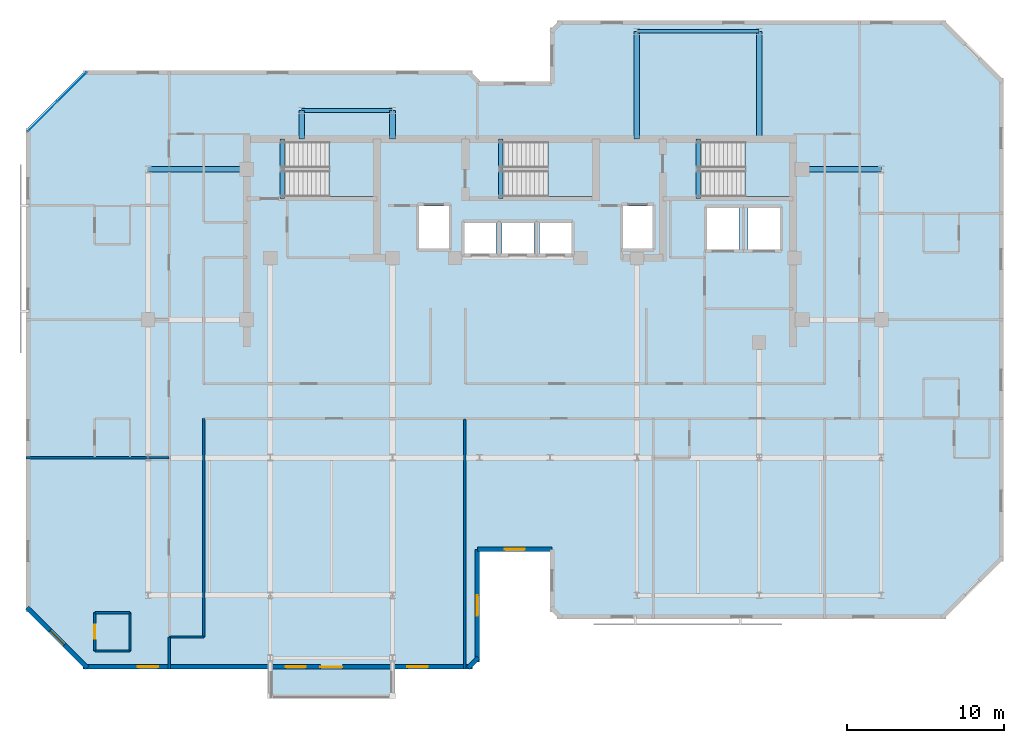
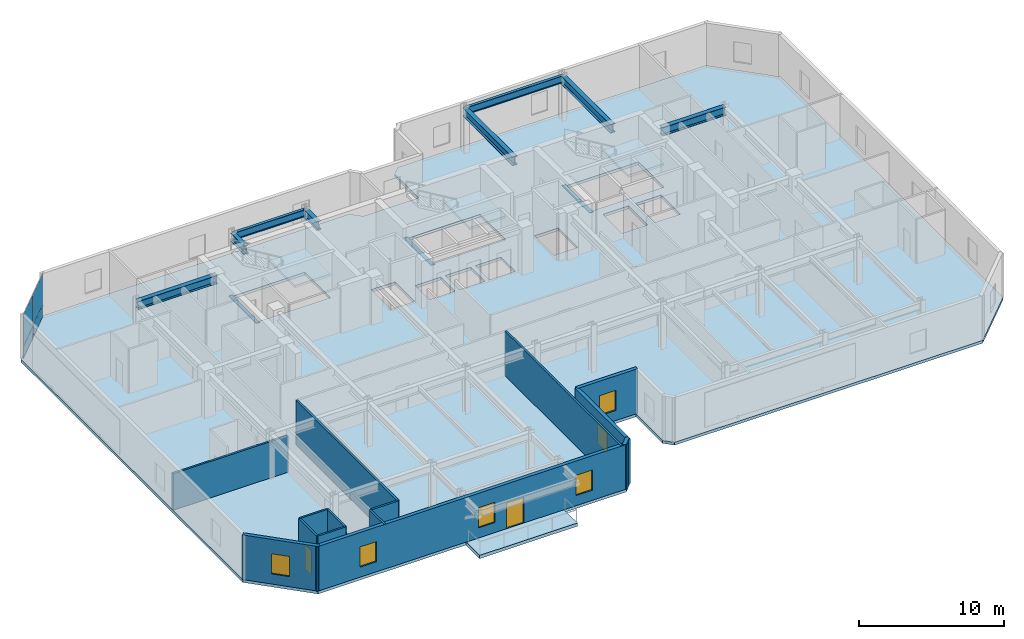
# One storey, part 3 of 10: 14 walls, 11 beams, 6 windows, 5 slabs, 4 plates, 2 doors, 8 openings, 4 elements without a shape of their own.
"""IFC4 building model written with IfcOpenShell, lengths in metres."""

from ifc_helpers import new_model, si_unit, direction, frame, frame_2d, origin, origin_2d, place, context, subcontext, project, spatial, polyline, rectangle, i_section, outline, extrude, material, layer, layer_set, material_profile, profile_set, type_object, element, fill, aggregate, save


model = new_model("IFC4")

# Units and contexts
model_context = context("Model", 3, precision=1e-05, world=origin(), true_north=direction((0.0, 1.0)))
body_context = subcontext(model_context, "Body", "Model", "MODEL_VIEW")
ifc_project = project(units=[si_unit("LENGTHUNIT", "METRE"), si_unit("AREAUNIT", "SQUARE_METRE"), si_unit("VOLUMEUNIT", "CUBIC_METRE"), si_unit("PLANEANGLEUNIT", "RADIAN"), si_unit("MASSUNIT", "GRAM", prefix="KILO")], contexts=[model_context])

# Site, building, storey
site_placement = place(None, origin())
site = spatial("IfcSite", under=ifc_project, at=site_placement, CompositionType="ELEMENT")
building_placement = place(site_placement, origin())
building = spatial("IfcBuilding", under=site, at=building_placement, Name="Kestravale Grand Hotel", CompositionType="ELEMENT")
storey_placement = place(building_placement, frame((0.0, 0.0, 277.39990234375)))
storey = spatial("IfcBuildingStorey", under=building, at=storey_placement, Name="L69", CompositionType="ELEMENT", Elevation=277.39990234375)

# Beams
ifc_material_1 = material(Name="Concrete f'c 45 MPa", Category="concrete")
ifc_material_profile_1 = material_profile(ifc_material_1, rectangle(XDim=0.300048828125, YDim=0.39990234375, at=origin_2d()))
ifc_profile_set_1 = profile_set([ifc_material_profile_1], Name="Concrete f'c 45 MPa")
beam_type_1 = type_object("IfcBeamType", Name="B-FLR-LNT400", PredefinedType="LINTEL", material=ifc_profile_set_1)
for number, where, z_axis, x_axis, name in (
    (1, (24.159912109375, 36.52001953125, -0.199951171875), (0.0, 1.0, 0.0), (-1.0, 0.0, 0.0), "L69 ST1 flight bottom header beam"),
    (2, (38.110107421875, 36.52001953125, -0.199951171875), (0.0, 1.0, 0.0), (-1.0, 0.0, 0.0), "L69 ST2 flight bottom header beam"),
    (3, (50.7099609375, 36.52001953125, -0.199951171875), (0.0, 1.0, 0.0), (-1.0, 0.0, 0.0), "L69 ST3 flight bottom header beam"),
):
    element("IfcBeam", number, at=place(storey_placement, frame(where, z_axis=z_axis, x_axis=x_axis)), inside=storey, type_object=beam_type_1, Name=name, PredefinedType="LINTEL", context=body_context, shape_type="SweptSolid", body=[
        extrude(rectangle(XDim=0.300048828125, YDim=0.39990234375, at=origin_2d()), origin(), (0.0, 0.0, 1.0), 3.800048828125),
    ])
ifc_material_2 = material(Name="Steel ASTM A992 Grade 50", Category="steel")
ifc_material_profile_2 = material_profile(ifc_material_2, i_section(OverallWidth=0.22900390625, OverallDepth=0.612060546875, WebThickness=0.011962890625, FlangeThickness=0.01953125, FilletRadius=0.019287109375, at=origin_2d()))
ifc_profile_set_2 = profile_set([ifc_material_profile_2], Name="Steel ASTM A992 Grade 50")
beam_type_2 = type_object("IfcBeamType", Name="B-FLR-W24B", PredefinedType="SPANDREL", material=ifc_profile_set_2)
beam_1_placement = place(storey_placement, frame((46.800048828125, 47.199951171875, 3.4541015625), z_axis=(1.0, 0.0, 0.0), x_axis=(0.0, 1.0, 0.0)))
element("IfcBeam", 4, at=beam_1_placement, inside=storey, type_object=beam_type_2, Name="L69 spandrel G:8-9", PredefinedType="SPANDREL", context=body_context, shape_type="SweptSolid", body=[
    extrude(i_section(OverallWidth=0.22900390625, OverallDepth=0.612060546875, WebThickness=0.011962890625, FlangeThickness=0.01953125, FilletRadius=0.019287109375, at=origin_2d()), origin(), (0.0, 0.0, 1.0), 7.800048828125),
])
beam_2_placement = place(storey_placement, frame((25.39990234375, 42.14990234375, 3.4541015625), z_axis=(1.0, 0.0, 0.0), x_axis=(0.0, 1.0, 0.0)))
element("IfcBeam", 5, at=beam_2_placement, inside=storey, type_object=beam_type_2, Name="L69 perimeter tie spandrel FN:4-5", PredefinedType="SPANDREL", context=body_context, shape_type="SweptSolid", body=[
    extrude(i_section(OverallWidth=0.22900390625, OverallDepth=0.612060546875, WebThickness=0.011962890625, FlangeThickness=0.01953125, FilletRadius=0.019287109375, at=origin_2d()), origin(), (0.0, 0.0, 1.0), 5.800048828125),
])
ifc_material_3 = material(Name="Steel ASTM A992 Grade 50", Category="steel")
ifc_material_profile_3 = material_profile(ifc_material_3, i_section(OverallWidth=0.35595703125, OverallDepth=0.696044921875, WebThickness=0.015380859375, FlangeThickness=0.02490234375, FilletRadius=0.021240234375, at=origin_2d()))
ifc_profile_set_3 = profile_set([ifc_material_profile_3], Name="Steel ASTM A992 Grade 50")
beam_type_3 = type_object("IfcBeamType", Name="B-GRD-W27", PredefinedType="BEAM", material=ifc_profile_set_3)
beam_3_placement = place(storey_placement, frame((15.60009765625, 38.39990234375, 3.412109375), z_axis=(1.0, 0.0, 0.0), x_axis=(0.0, 1.0, 0.0)))
element("IfcBeam", 6, at=beam_3_placement, inside=storey, type_object=beam_type_3, Name="L69 girder F:3-CW", PredefinedType="BEAM", context=body_context, shape_type="SweptSolid", body=[
    extrude(i_section(OverallWidth=0.35595703125, OverallDepth=0.696044921875, WebThickness=0.015380859375, FlangeThickness=0.02490234375, FilletRadius=0.021240234375, at=origin_2d()), origin(), (0.0, 0.0, 1.0), 6.2998046875),
])
beam_4_placement = place(storey_placement, frame((57.35009765625, 38.39990234375, 3.412109375), z_axis=(1.0, 0.0, 0.0), x_axis=(0.0, 1.0, 0.0)))
element("IfcBeam", 7, at=beam_4_placement, inside=storey, type_object=beam_type_3, Name="L69 girder F:CE-10", PredefinedType="BEAM", context=body_context, shape_type="SweptSolid", body=[
    extrude(i_section(OverallWidth=0.35595703125, OverallDepth=0.696044921875, WebThickness=0.015380859375, FlangeThickness=0.02490234375, FilletRadius=0.021240234375, at=origin_2d()), origin(), (0.0, 0.0, 1.0), 5.0498046875),
])
for number, where, z_axis, x_axis, name in (
    (8, (25.39990234375, 40.320068359375, 3.412109375), (0.0, 1.0, 0.0), (-1.0, 0.0, 0.0), "L69 north wing tie girder 4:CN-FN"),
    (9, (31.199951171875, 40.320068359375, 3.412109375), (0.0, 1.0, 0.0), (-1.0, 0.0, 0.0), "L69 north wing tie girder 5:CN-FN"),
):
    element("IfcBeam", number, at=place(storey_placement, frame(where, z_axis=z_axis, x_axis=x_axis)), inside=storey, type_object=beam_type_3, Name=name, PredefinedType="BEAM", context=body_context, shape_type="SweptSolid", body=[
        extrude(i_section(OverallWidth=0.35595703125, OverallDepth=0.696044921875, WebThickness=0.015380859375, FlangeThickness=0.02490234375, FilletRadius=0.021240234375, at=origin_2d()), origin(), (0.0, 0.0, 1.0), 1.829833984375),
    ])
for number, where, z_axis, x_axis, name in (
    (10, (46.800048828125, 40.320068359375, 3.412109375), (0.0, 1.0, 0.0), (-1.0, 0.0, 0.0), "L69 north wing tie girder 8:CN-G"),
    (11, (54.60009765625, 40.320068359375, 3.412109375), (0.0, 1.0, 0.0), (-1.0, 0.0, 0.0), "L69 north wing tie girder 9:CN-G"),
):
    element("IfcBeam", number, at=place(storey_placement, frame(where, z_axis=z_axis, x_axis=x_axis)), inside=storey, type_object=beam_type_3, Name=name, PredefinedType="BEAM", context=body_context, shape_type="SweptSolid", body=[
        extrude(i_section(OverallWidth=0.35595703125, OverallDepth=0.696044921875, WebThickness=0.015380859375, FlangeThickness=0.02490234375, FilletRadius=0.021240234375, at=origin_2d()), origin(), (0.0, 0.0, 1.0), 6.8798828125),
    ])

# Curtain wall, plates
ifc_material_4 = material(Name="Thermally broken champagne-bronze aluminium and low-E glazing", Category="aluminium")
ifc_layer_1 = layer(ifc_material_4, 0.179931640625)
ifc_layer_set_1 = layer_set([ifc_layer_1], Name="CW-Z4")
curtain_wall_type = type_object("IfcCurtainWallType", Name="CW-Z4", PredefinedType="NOTDEFINED", material=ifc_layer_set_1)
curtain_wall_placement = place(storey_placement, origin())
curtain_wall = element("IfcCurtainWall", 12, at=curtain_wall_placement, inside=storey, type_object=curtain_wall_type, Name="L69 unitised curtain wall 18", PredefinedType="NOTDEFINED")
ifc_material_5 = material(Name="Insulated clear low-E double glazing IGU", Category="glass")
ifc_layer_2 = layer(ifc_material_5, 0.028076171875)
ifc_layer_set_2 = layer_set([ifc_layer_2], Name="CW-PNL-28")
plate_type = type_object("IfcPlateType", Name="CW-PNL-28", PredefinedType="CURTAIN_PANEL", material=ifc_layer_set_2)
plate_1_placement = place(storey_placement, frame((10.74462890625, 43.646728515625, 0.06494140625), z_axis=(0.0, 0.0, 1.0), x_axis=(-0.707106781187, -0.707106781187, 0.0)))
plate_1 = element("IfcPlate", 13, at=plate_1_placement, type_object=plate_type, Name="CW-Z4 panel 1.1", PredefinedType="CURTAIN_PANEL", context=body_context, shape_type="SweptSolid", body=[
    extrude(rectangle(XDim=2.609619140625, YDim=0.028076171875, at=origin_2d()), origin(), (0.0, 0.0, 1.0), 0.952392578125),
])
plate_2_placement = place(storey_placement, frame((10.74462890625, 43.646728515625, 1.08251953125), z_axis=(0.0, 0.0, 1.0), x_axis=(-0.707106781187, -0.707106781187, 0.0)))
plate_2 = element("IfcPlate", 14, at=plate_2_placement, type_object=plate_type, Name="CW-Z4 panel 1.2", PredefinedType="CURTAIN_PANEL", context=body_context, shape_type="SweptSolid", body=[
    extrude(rectangle(XDim=2.609619140625, YDim=0.028076171875, at=origin_2d()), origin(), (0.0, 0.0, 1.0), 2.612548828125),
])
plate_3_placement = place(storey_placement, frame((8.853271484375, 41.75537109375, 0.06494140625), z_axis=(0.0, 0.0, 1.0), x_axis=(-0.707106781187, -0.707106781187, 0.0)))
plate_3 = element("IfcPlate", 15, at=plate_3_placement, type_object=plate_type, Name="CW-Z4 panel 2.1", PredefinedType="CURTAIN_PANEL", context=body_context, shape_type="SweptSolid", body=[
    extrude(rectangle(XDim=2.609619140625, YDim=0.028076171875, at=origin_2d()), origin(), (0.0, 0.0, 1.0), 0.952392578125),
])
plate_4_placement = place(storey_placement, frame((8.853271484375, 41.75537109375, 1.08251953125), z_axis=(0.0, 0.0, 1.0), x_axis=(-0.707106781187, -0.707106781187, 0.0)))
plate_4 = element("IfcPlate", 16, at=plate_4_placement, type_object=plate_type, Name="CW-Z4 panel 2.2", PredefinedType="CURTAIN_PANEL", context=body_context, shape_type="SweptSolid", body=[
    extrude(rectangle(XDim=2.609619140625, YDim=0.028076171875, at=origin_2d()), origin(), (0.0, 0.0, 1.0), 2.612548828125),
])
aggregate(curtain_wall, [plate_1, plate_2, plate_3, plate_4])

# Slab
ifc_material_6 = material(Name="Concrete f'c 45 MPa", Category="concrete")
ifc_layer_3 = layer(ifc_material_6, 0.27001953125)
ifc_layer_set_3 = layer_set([ifc_layer_3], Name="ES-TERR-270")
slab_type_1 = type_object("IfcSlabType", Name="ES-TERR-270", PredefinedType="FLOOR", material=ifc_layer_set_3)
slab_1_placement = place(storey_placement, frame((0.0, 0.0, -0.27001953125)))
element("IfcSlab", 17, at=slab_1_placement, inside=storey, type_object=slab_type_1, Name="L69 spiralling planted garden terrace", PredefinedType="FLOOR", context=body_context, shape_type="SweptSolid", body=[
    extrude(outline(polyline([(23.39990234375, 4.64990234375), (31.199951171875, 4.64990234375), (31.199951171875, 6.5), (23.39990234375, 6.5), (23.39990234375, 4.64990234375)])), origin(), (0.0, 0.0, 1.0), 0.27001953125),
])

# Stair, slab
ifc_material_7 = material(Name="Concrete f'c 45 MPa", Category="concrete")
stair_type = type_object("IfcStairType", Name="ST-CORE-400", PredefinedType="HALF_TURN_STAIR", material=ifc_material_7)
stair_1_placement = place(storey_placement, origin())
stair_1 = element("IfcStair", 18, at=stair_1_placement, inside=storey, type_object=stair_type, Name="L69 ST-1", PredefinedType="HALF_TURN_STAIR")
ifc_material_8 = material(Name="Concrete f'c 45 MPa", Category="concrete")
ifc_layer_4 = layer(ifc_material_8, 0.199951171875)
ifc_layer_set_4 = layer_set([ifc_layer_4], Name="SLB-ST-LND200")
slab_type_2 = type_object("IfcSlabType", Name="SLB-ST-LND200", PredefinedType="LANDING", material=ifc_layer_set_4)
slab_2_placement = place(storey_placement, frame((0.0, 0.0, 1.800048828125)))
slab_2 = element("IfcSlab", 19, at=slab_2_placement, type_object=slab_type_2, Name="ST-1 landing 1", PredefinedType="LANDING", context=body_context, shape_type="SweptSolid", body=[
    extrude(outline(polyline([(27.159912109375, 36.64990234375), (30.0, 36.64990234375), (30.0, 40.159912109375), (27.159912109375, 40.159912109375), (27.159912109375, 36.64990234375)])), origin(), (0.0, 0.0, 1.0), 0.199951171875),
])
aggregate(stair_1, [slab_2])

stair_2_placement = place(storey_placement, origin())
stair_2 = element("IfcStair", 20, at=stair_2_placement, inside=storey, type_object=stair_type, Name="L69 ST-2", PredefinedType="HALF_TURN_STAIR")
slab_3_placement = place(storey_placement, frame((0.0, 0.0, 1.800048828125)))
slab_3 = element("IfcSlab", 21, at=slab_3_placement, type_object=slab_type_2, Name="ST-2 landing 1", PredefinedType="LANDING", context=body_context, shape_type="SweptSolid", body=[
    extrude(outline(polyline([(41.110107421875, 36.64990234375), (43.949951171875, 36.64990234375), (43.949951171875, 40.159912109375), (41.110107421875, 40.159912109375), (41.110107421875, 36.64990234375)])), origin(), (0.0, 0.0, 1.0), 0.199951171875),
])
aggregate(stair_2, [slab_3])

stair_3_placement = place(storey_placement, origin())
stair_3 = element("IfcStair", 22, at=stair_3_placement, inside=storey, type_object=stair_type, Name="L69 ST-3", PredefinedType="HALF_TURN_STAIR")
slab_4_placement = place(storey_placement, frame((0.0, 0.0, 1.800048828125)))
slab_4 = element("IfcSlab", 23, at=slab_4_placement, type_object=slab_type_2, Name="ST-3 landing 1", PredefinedType="LANDING", context=body_context, shape_type="SweptSolid", body=[
    extrude(outline(polyline([(53.7099609375, 36.64990234375), (56.550048828125, 36.64990234375), (56.550048828125, 40.159912109375), (53.7099609375, 40.159912109375), (53.7099609375, 36.64990234375)])), origin(), (0.0, 0.0, 1.0), 0.199951171875),
])
aggregate(stair_3, [slab_4])

# Slab
ifc_material_9 = material(Name="Concrete f'c 45 MPa", Category="concrete")
ifc_layer_5 = layer(ifc_material_9, 0.239990234375)
ifc_layer_set_5 = layer_set([ifc_layer_5], Name="SS-FLR-240")
slab_type_3 = type_object("IfcSlabType", Name="SS-FLR-240", PredefinedType="FLOOR", material=ifc_layer_set_5)
slab_5_placement = place(storey_placement, frame((0.0, 0.0, -0.239990234375)))
element("IfcSlab", 24, at=slab_5_placement, inside=storey, type_object=slab_type_3, Name="L69 structural floor slab", PredefinedType="FLOOR", context=body_context, shape_type="SweptSolid", body=[
    extrude(outline(polyline([(11.60009765625, 6.5), (36.14990234375, 6.5), (36.75, 7.10009765625), (36.75, 14.0), (41.25, 14.0), (41.25, 10.300048828125), (41.85009765625, 9.699951171875), (66.39990234375, 9.699951171875), (70.199951171875, 13.5), (70.199951171875, 44.10009765625), (66.39990234375, 47.89990234375), (41.85009765625, 47.89990234375), (41.25, 47.300048828125), (41.25, 44.0), (36.75, 44.0), (36.75, 44.10009765625), (36.14990234375, 44.699951171875), (11.60009765625, 44.699951171875), (7.800048828125, 40.89990234375), (7.800048828125, 10.300048828125), (11.60009765625, 6.5)]), holes=[polyline([(24.080078125, 36.64990234375), (30.0, 36.64990234375), (30.0, 40.159912109375), (24.080078125, 40.159912109375), (24.080078125, 36.64990234375)]), polyline([(38.030029296875, 36.64990234375), (43.949951171875, 36.64990234375), (43.949951171875, 40.159912109375), (38.030029296875, 40.159912109375), (38.030029296875, 36.64990234375)]), polyline([(50.6298828125, 36.64990234375), (56.550048828125, 36.64990234375), (56.550048828125, 40.159912109375), (50.6298828125, 40.159912109375), (50.6298828125, 36.64990234375)]), polyline([(35.780029296875, 33.030029296875), (37.820068359375, 33.030029296875), (37.820068359375, 34.969970703125), (35.780029296875, 34.969970703125), (35.780029296875, 33.030029296875)]), polyline([(38.179931640625, 33.030029296875), (40.219970703125, 33.030029296875), (40.219970703125, 34.969970703125), (38.179931640625, 34.969970703125), (38.179931640625, 33.030029296875)]), polyline([(40.580078125, 33.030029296875), (42.6201171875, 33.030029296875), (42.6201171875, 34.969970703125), (40.580078125, 34.969970703125), (40.580078125, 33.030029296875)]), polyline([(32.905029296875, 33.35498046875), (34.794921875, 33.35498046875), (34.794921875, 36.044921875), (32.905029296875, 36.044921875), (32.905029296875, 33.35498046875)]), polyline([(45.905029296875, 33.35498046875), (47.794921875, 33.35498046875), (47.794921875, 36.044921875), (45.905029296875, 36.044921875), (45.905029296875, 33.35498046875)]), polyline([(51.280029296875, 33.280029296875), (53.320068359375, 33.280029296875), (53.320068359375, 35.919921875), (51.280029296875, 35.919921875), (51.280029296875, 33.280029296875)]), polyline([(53.8798828125, 33.280029296875), (55.919921875, 33.280029296875), (55.919921875, 35.919921875), (53.8798828125, 35.919921875), (53.8798828125, 33.280029296875)])]), origin(), (0.0, 0.0, 1.0), 0.239990234375),
])

# Wall, openings, door, windows
ifc_material_10 = material(Name="Precast concrete f'c 45 MPa", Category="concrete")
ifc_layer_6 = layer(ifc_material_10, 0.280029296875)
ifc_layer_set_6 = layer_set([ifc_layer_6], Name="EW-PREC-280")
wall_type_1 = type_object("IfcWallType", Name="EW-PREC-280", PredefinedType="SOLIDWALL", material=ifc_layer_set_6)
wall_1_placement = place(storey_placement, frame((11.4599609375, 6.639892578125, 0.0), z_axis=(0.0, 0.0, 1.0), x_axis=(1.0, 0.0, 0.0)))
wall_1 = element("IfcWall", 25, at=wall_1_placement, inside=storey, type_object=wall_type_1, Name="L69 fluted precast facade wall 1", PredefinedType="SOLIDWALL", context=body_context, shape_type="SweptSolid", body=[
    extrude(rectangle(XDim=24.830078125, YDim=0.280029296875, at=frame_2d((12.4150390625, 0.0))), origin(), (0.0, 0.0, 1.0), 3.760009765625),
])
opening_1_placement = place(wall_1_placement, frame((15.139892578125, 0.0, 0.0)))
opening_1 = element("IfcOpeningElement", 26, at=opening_1_placement, cuts=wall_1, Name="Opening D-TERR-1400", PredefinedType="OPENING", context=body_context, shape_type="SweptSolid", body=[
    extrude(rectangle(XDim=1.39990234375, YDim=2.14990234375, at=frame_2d((0.699951171875, 1.074951171875))), frame((0.0, 0.14990234375, 0.0), z_axis=(0.0, -1.0, 0.0), x_axis=(1.0, 0.0, 0.0)), (0.0, 0.0, 1.0), 0.300048828125),
])
opening_2_placement = place(wall_1_placement, frame((3.48828125, 0.0, 0.85009765625)))
opening_2 = element("IfcOpeningElement", 27, at=opening_2_placement, cuts=wall_1, Name="Opening W-GUEST-1300", PredefinedType="OPENING", context=body_context, shape_type="SweptSolid", body=[
    extrude(rectangle(XDim=1.300048828125, YDim=1.699951171875, at=frame_2d((0.64990234375, 0.85009765625))), frame((0.0, 0.14990234375, 0.0), z_axis=(0.0, -1.0, 0.0), x_axis=(1.0, 0.0, 0.0)), (0.0, 0.0, 1.0), 0.300048828125),
])
opening_3_placement = place(wall_1_placement, frame((12.9150390625, 0.0, 0.85009765625)))
opening_3 = element("IfcOpeningElement", 28, at=opening_3_placement, cuts=wall_1, Name="Opening W-GUEST-1300", PredefinedType="OPENING", context=body_context, shape_type="SweptSolid", body=[
    extrude(rectangle(XDim=1.300048828125, YDim=1.699951171875, at=frame_2d((0.64990234375, 0.85009765625))), frame((0.0, 0.14990234375, 0.0), z_axis=(0.0, -1.0, 0.0), x_axis=(1.0, 0.0, 0.0)), (0.0, 0.0, 1.0), 0.300048828125),
])
opening_4_placement = place(wall_1_placement, frame((20.691650390625, 0.0, 0.85009765625)))
opening_4 = element("IfcOpeningElement", 29, at=opening_4_placement, cuts=wall_1, Name="Opening W-GUEST-1300", PredefinedType="OPENING", context=body_context, shape_type="SweptSolid", body=[
    extrude(rectangle(XDim=1.300048828125, YDim=1.699951171875, at=frame_2d((0.64990234375, 0.85009765625))), frame((0.0, 0.14990234375, 0.0), z_axis=(0.0, -1.0, 0.0), x_axis=(1.0, 0.0, 0.0)), (0.0, 0.0, 1.0), 0.300048828125),
])
ifc_material_11 = material(Name="Insulated glazed champagne-bronze aluminium door", Category="aluminium")
door_type_1 = type_object("IfcDoorType", Name="D-TERR-1400", OperationType="NOTDEFINED", PredefinedType="DOOR", material=ifc_material_11)
door_1_placement = place(opening_1_placement, origin())
door_1 = element("IfcDoor", 30, at=door_1_placement, inside=storey, type_object=door_type_1, Name="L69 outdoor garden terrace door", OperationType="DOUBLE_DOOR_SINGLE_SWING", OverallHeight=2.14990234375, OverallWidth=1.39990234375, PredefinedType="DOOR", context=body_context, shape_type="SweptSolid", body=[
    extrude(rectangle(XDim=1.39990234375, YDim=2.14990234375, at=frame_2d((0.699951171875, 1.074951171875))), frame((0.0, 0.02490234375, 0.0), z_axis=(0.0, -1.0, 0.0), x_axis=(1.0, 0.0, 0.0)), (0.0, 0.0, 1.0), 0.050048828125),
])
fill(opening_1, door_1)
ifc_material_12 = material(Name="Insulated low-E double glazing in aluminium frame", Category="aluminium")
window_type = type_object("IfcWindowType", Name="W-GUEST-1300", PartitioningType="SINGLE_PANEL", PredefinedType="WINDOW", material=ifc_material_12)
window_1_placement = place(opening_2_placement, origin())
window_1 = element("IfcWindow", 31, at=window_1_placement, inside=storey, type_object=window_type, Name="L69 exterior window 1.1", OverallHeight=1.699951171875, OverallWidth=1.300048828125, PartitioningType="SINGLE_PANEL", PredefinedType="WINDOW", context=body_context, shape_type="SweptSolid", body=[
    extrude(rectangle(XDim=1.300048828125, YDim=1.699951171875, at=frame_2d((0.64990234375, 0.85009765625))), frame((0.0, 0.030029296875, 0.0), z_axis=(0.0, -1.0, 0.0), x_axis=(1.0, 0.0, 0.0)), (0.0, 0.0, 1.0), 0.06005859375),
])
fill(opening_2, window_1)
window_2_placement = place(opening_3_placement, origin())
window_2 = element("IfcWindow", 32, at=window_2_placement, inside=storey, type_object=window_type, Name="L69 exterior window 1.2", OverallHeight=1.699951171875, OverallWidth=1.300048828125, PartitioningType="SINGLE_PANEL", PredefinedType="WINDOW", context=body_context, shape_type="SweptSolid", body=[
    extrude(rectangle(XDim=1.300048828125, YDim=1.699951171875, at=frame_2d((0.64990234375, 0.85009765625))), frame((0.0, 0.030029296875, 0.0), z_axis=(0.0, -1.0, 0.0), x_axis=(1.0, 0.0, 0.0)), (0.0, 0.0, 1.0), 0.06005859375),
])
fill(opening_3, window_2)
window_3_placement = place(opening_4_placement, origin())
window_3 = element("IfcWindow", 33, at=window_3_placement, inside=storey, type_object=window_type, Name="L69 exterior window 1.3", OverallHeight=1.699951171875, OverallWidth=1.300048828125, PartitioningType="SINGLE_PANEL", PredefinedType="WINDOW", context=body_context, shape_type="SweptSolid", body=[
    extrude(rectangle(XDim=1.300048828125, YDim=1.699951171875, at=frame_2d((0.64990234375, 0.85009765625))), frame((0.0, 0.030029296875, 0.0), z_axis=(0.0, -1.0, 0.0), x_axis=(1.0, 0.0, 0.0)), (0.0, 0.0, 1.0), 0.06005859375),
])
fill(opening_4, window_3)

# Wall
wall_2_placement = place(storey_placement, frame((36.022705078125, 6.57080078125, 0.0), z_axis=(0.0, 0.0, 1.0), x_axis=(0.707106781187, 0.707106781187, 0.0)))
element("IfcWall", 34, at=wall_2_placement, inside=storey, type_object=wall_type_1, Name="L69 fluted precast facade wall 2", PredefinedType="SOLIDWALL", context=body_context, shape_type="SweptSolid", body=[
    extrude(rectangle(XDim=0.928466796875, YDim=0.280029296875, at=frame_2d((0.46435546875, 0.0))), origin(), (0.0, 0.0, 1.0), 3.760009765625),
])

# Wall, opening, window
wall_3_placement = place(storey_placement, frame((36.610107421875, 6.9599609375, 0.0), z_axis=(0.0, 0.0, 1.0), x_axis=(0.0, 1.0, 0.0)))
wall_3 = element("IfcWall", 35, at=wall_3_placement, inside=storey, type_object=wall_type_1, Name="L69 fluted precast facade wall 3", PredefinedType="SOLIDWALL", context=body_context, shape_type="SweptSolid", body=[
    extrude(rectangle(XDim=7.179931640625, YDim=0.280029296875, at=frame_2d((3.58984375, 0.0))), origin(), (0.0, 0.0, 1.0), 3.760009765625),
])
opening_5_placement = place(wall_3_placement, frame((2.93994140625, 0.0, 0.85009765625)))
opening_5 = element("IfcOpeningElement", 36, at=opening_5_placement, cuts=wall_3, Name="Opening W-GUEST-1300", PredefinedType="OPENING", context=body_context, shape_type="SweptSolid", body=[
    extrude(rectangle(XDim=1.300048828125, YDim=1.699951171875, at=frame_2d((0.64990234375, 0.85009765625))), frame((0.0, 0.14990234375, 0.0), z_axis=(0.0, -1.0, 0.0), x_axis=(1.0, 0.0, 0.0)), (0.0, 0.0, 1.0), 0.300048828125),
])
window_4_placement = place(opening_5_placement, origin())
window_4 = element("IfcWindow", 37, at=window_4_placement, inside=storey, type_object=window_type, Name="L69 exterior window 3.1", OverallHeight=1.699951171875, OverallWidth=1.300048828125, PartitioningType="SINGLE_PANEL", PredefinedType="WINDOW", context=body_context, shape_type="SweptSolid", body=[
    extrude(rectangle(XDim=1.300048828125, YDim=1.699951171875, at=frame_2d((0.64990234375, 0.85009765625))), frame((0.0, 0.030029296875, 0.0), z_axis=(0.0, -1.0, 0.0), x_axis=(1.0, 0.0, 0.0)), (0.0, 0.0, 1.0), 0.06005859375),
])
fill(opening_5, window_4)

wall_4_placement = place(storey_placement, frame((36.610107421875, 14.139892578125, 0.0), z_axis=(0.0, 0.0, 1.0), x_axis=(1.0, 0.0, 0.0)))
wall_4 = element("IfcWall", 38, at=wall_4_placement, inside=storey, type_object=wall_type_1, Name="L69 fluted precast facade wall 4", PredefinedType="SOLIDWALL", context=body_context, shape_type="SweptSolid", body=[
    extrude(rectangle(XDim=4.77978515625, YDim=0.280029296875, at=frame_2d((2.389892578125, 0.0))), origin(), (0.0, 0.0, 1.0), 3.760009765625),
])
opening_6_placement = place(wall_4_placement, frame((1.739990234375, 0.0, 0.85009765625)))
opening_6 = element("IfcOpeningElement", 39, at=opening_6_placement, cuts=wall_4, Name="Opening W-GUEST-1300", PredefinedType="OPENING", context=body_context, shape_type="SweptSolid", body=[
    extrude(rectangle(XDim=1.300048828125, YDim=1.699951171875, at=frame_2d((0.64990234375, 0.85009765625))), frame((0.0, 0.14990234375, 0.0), z_axis=(0.0, -1.0, 0.0), x_axis=(1.0, 0.0, 0.0)), (0.0, 0.0, 1.0), 0.300048828125),
])
window_5_placement = place(opening_6_placement, origin())
window_5 = element("IfcWindow", 40, at=window_5_placement, inside=storey, type_object=window_type, Name="L69 exterior window 4.1", OverallHeight=1.699951171875, OverallWidth=1.300048828125, PartitioningType="SINGLE_PANEL", PredefinedType="WINDOW", context=body_context, shape_type="SweptSolid", body=[
    extrude(rectangle(XDim=1.300048828125, YDim=1.699951171875, at=frame_2d((0.64990234375, 0.85009765625))), frame((0.0, 0.030029296875, 0.0), z_axis=(0.0, -1.0, 0.0), x_axis=(1.0, 0.0, 0.0)), (0.0, 0.0, 1.0), 0.06005859375),
])
fill(opening_6, window_5)

wall_5_placement = place(storey_placement, frame((7.87060546875, 10.42724609375, 0.0), z_axis=(0.0, 0.0, 1.0), x_axis=(0.707129162587, -0.707084399077, 0.0)))
wall_5 = element("IfcWall", 41, at=wall_5_placement, inside=storey, type_object=wall_type_1, Name="L69 fluted precast facade wall 20", PredefinedType="SOLIDWALL", context=body_context, shape_type="SweptSolid", body=[
    extrude(rectangle(XDim=5.4541015625, YDim=0.280029296875, at=frame_2d((2.72705078125, 0.0))), origin(), (0.0, 0.0, 1.0), 3.760009765625),
])
opening_7_placement = place(wall_5_placement, frame((2.076904296875, 0.0, 0.85009765625)))
opening_7 = element("IfcOpeningElement", 42, at=opening_7_placement, cuts=wall_5, Name="Opening W-GUEST-1300", PredefinedType="OPENING", context=body_context, shape_type="SweptSolid", body=[
    extrude(rectangle(XDim=1.300048828125, YDim=1.699951171875, at=frame_2d((0.64990234375, 0.85009765625))), frame((0.0, 0.14990234375, 0.0), z_axis=(0.0, -1.0, 0.0), x_axis=(1.0, 0.0, 0.0)), (0.0, 0.0, 1.0), 0.300048828125),
])
window_6_placement = place(opening_7_placement, origin())
window_6 = element("IfcWindow", 43, at=window_6_placement, inside=storey, type_object=window_type, Name="L69 exterior window 20.1", OverallHeight=1.699951171875, OverallWidth=1.300048828125, PartitioningType="SINGLE_PANEL", PredefinedType="WINDOW", context=body_context, shape_type="SweptSolid", body=[
    extrude(rectangle(XDim=1.300048828125, YDim=1.699951171875, at=frame_2d((0.64990234375, 0.85009765625))), frame((0.0, 0.030029296875, 0.0), z_axis=(0.0, -1.0, 0.0), x_axis=(1.0, 0.0, 0.0)), (0.0, 0.0, 1.0), 0.06005859375),
])
fill(opening_7, window_6)

# Wall
ifc_material_13 = material(Name="Acoustic fire-rated gypsum board partition", Category="other")
ifc_layer_7 = layer(ifc_material_13, 0.159912109375)
ifc_layer_set_7 = layer_set([ifc_layer_7], Name="IW-CORR-160")
wall_type_2 = type_object("IfcWallType", Name="IW-CORR-160", PredefinedType="PARTITIONING", material=ifc_layer_set_7)
wall_6_placement = place(storey_placement, frame((19.159912109375, 8.550048828125, 0.0), z_axis=(0.0, 0.0, 1.0), x_axis=(0.0, 1.0, 0.0)))
element("IfcWall", 44, at=wall_6_placement, inside=storey, type_object=wall_type_2, Name="W-L69-SW-E", PredefinedType="PARTITIONING", context=body_context, shape_type="SweptSolid", body=[
    extrude(rectangle(XDim=13.93994140625, YDim=0.159912109375, at=frame_2d((6.969970703125, 0.0))), origin(), (0.0, 0.0, 1.0), 3.760009765625),
])

# Wall, opening, door
ifc_material_14 = material(Name="Moisture-resistant tile-backer plumbing chase wall", Category="other")
ifc_layer_8 = layer(ifc_material_14, 0.139892578125)
ifc_layer_set_8 = layer_set([ifc_layer_8], Name="IW-PLB-140")
wall_type_3 = type_object("IfcWallType", Name="IW-PLB-140", PredefinedType="PLUMBINGWALL", material=ifc_layer_set_8)
wall_7_placement = place(storey_placement, frame((12.199951171875, 7.64990234375, 0.0), z_axis=(0.0, 0.0, 1.0), x_axis=(0.0, 1.0, 0.0)))
wall_7 = element("IfcWall", 45, at=wall_7_placement, inside=storey, type_object=wall_type_3, Name="W-L69-U02-BW", PredefinedType="PLUMBINGWALL", context=body_context, shape_type="SweptSolid", body=[
    extrude(rectangle(XDim=2.4501953125, YDim=0.139892578125, at=frame_2d((1.22509765625, 0.0))), origin(), (0.0, 0.0, 1.0), 3.760009765625),
])
opening_8_placement = place(wall_7_placement, frame((0.784912109375, 0.0, 0.0)))
opening_8 = element("IfcOpeningElement", 46, at=opening_8_placement, cuts=wall_7, Name="Opening D-BATH-880", PredefinedType="OPENING", context=body_context, shape_type="SweptSolid", body=[
    extrude(rectangle(XDim=0.8798828125, YDim=2.050048828125, at=frame_2d((0.43994140625, 1.02490234375))), frame((0.0, 0.079833984375, 0.0), z_axis=(0.0, -1.0, 0.0), x_axis=(1.0, 0.0, 0.0)), (0.0, 0.0, 1.0), 0.159912109375),
])
ifc_material_15 = material(Name="Moisture-sealed walnut en-suite bathroom door", Category="wood")
door_type_2 = type_object("IfcDoorType", Name="D-BATH-880", OperationType="NOTDEFINED", PredefinedType="DOOR", material=ifc_material_15)
door_2_placement = place(opening_8_placement, origin())
door_2 = element("IfcDoor", 47, at=door_2_placement, inside=storey, type_object=door_type_2, Name="D-L69-U02-BATH", OperationType="SINGLE_SWING_LEFT", OverallHeight=2.050048828125, OverallWidth=0.8798828125, PredefinedType="DOOR", context=body_context, shape_type="SweptSolid", body=[
    extrude(rectangle(XDim=0.8798828125, YDim=2.050048828125, at=frame_2d((0.43994140625, 1.02490234375))), frame((0.0, 0.02490234375, 0.0), z_axis=(0.0, -1.0, 0.0), x_axis=(1.0, 0.0, 0.0)), (0.0, 0.0, 1.0), 0.050048828125),
])
fill(opening_8, door_2)

# Walls
wall_8_placement = place(storey_placement, frame((14.449951171875, 7.64990234375, 0.0), z_axis=(0.0, 0.0, 1.0), x_axis=(0.0, 1.0, 0.0)))
element("IfcWall", 48, at=wall_8_placement, inside=storey, type_object=wall_type_3, Name="W-L69-U02-BE", PredefinedType="PLUMBINGWALL", context=body_context, shape_type="SweptSolid", body=[
    extrude(rectangle(XDim=2.4501953125, YDim=0.139892578125, at=frame_2d((1.22509765625, 0.0))), origin(), (0.0, 0.0, 1.0), 3.760009765625),
])
for number, where, z_axis, x_axis, name in (
    (49, (12.199951171875, 7.64990234375, 0.0), (0.0, 0.0, 1.0), (1.0, 0.0, 0.0), "W-L69-U02-BS"),
    (50, (12.199951171875, 10.10009765625, 0.0), (0.0, 0.0, 1.0), (1.0, 0.0, 0.0), "W-L69-U02-BN"),
):
    element("IfcWall", number, at=place(storey_placement, frame(where, z_axis=z_axis, x_axis=x_axis)), inside=storey, type_object=wall_type_3, Name=name, PredefinedType="PLUMBINGWALL", context=body_context, shape_type="SweptSolid", body=[
        extrude(rectangle(XDim=2.25, YDim=0.139892578125, at=frame_2d((1.125, 0.0))), origin(), (0.0, 0.0, 1.0), 3.760009765625),
    ])
ifc_material_16 = material(Name="Double-stud STC 52 acoustic demising partition", Category="other")
ifc_layer_9 = layer(ifc_material_16, 0.14990234375)
ifc_layer_set_9 = layer_set([ifc_layer_9], Name="IW-UNIT-150")
wall_type_4 = type_object("IfcWallType", Name="IW-UNIT-150", PredefinedType="PARTITIONING", material=ifc_layer_set_9)
wall_9_placement = place(storey_placement, frame((16.93994140625, 8.550048828125, 0.0), z_axis=(0.0, 0.0, 1.0), x_axis=(1.0, 0.0, 0.0)))
element("IfcWall", 51, at=wall_9_placement, inside=storey, type_object=wall_type_4, Name="W-L69-SW-S", PredefinedType="PARTITIONING", context=body_context, shape_type="SweptSolid", body=[
    extrude(rectangle(XDim=2.219970703125, YDim=0.14990234375, at=frame_2d((1.10986328125, 0.0))), origin(), (0.0, 0.0, 1.0), 3.760009765625),
])
wall_10_placement = place(storey_placement, frame((35.800048828125, 6.52001953125, 0.0), z_axis=(0.0, 0.0, 1.0), x_axis=(0.0, 1.0, 0.0)))
element("IfcWall", 52, at=wall_10_placement, inside=storey, type_object=wall_type_4, Name="W-L69-MID-S", PredefinedType="PARTITIONING", context=body_context, shape_type="SweptSolid", body=[
    extrude(rectangle(XDim=15.949951171875, YDim=0.14990234375, at=frame_2d((7.97509765625, 0.0))), origin(), (0.0, 0.0, 1.0), 3.760009765625),
])
wall_11_placement = place(storey_placement, frame((16.93994140625, 6.52001953125, 0.0), z_axis=(0.0, 0.0, 1.0), x_axis=(0.0, 1.0, 0.0)))
element("IfcWall", 53, at=wall_11_placement, inside=storey, type_object=wall_type_4, Name="W-L69-SW-EXT", PredefinedType="PARTITIONING", context=body_context, shape_type="SweptSolid", body=[
    extrude(rectangle(XDim=2.030029296875, YDim=0.14990234375, at=frame_2d((1.01513671875, 0.0))), origin(), (0.0, 0.0, 1.0), 3.760009765625),
])
wall_12_placement = place(storey_placement, frame((7.820068359375, 20.0, 0.0), z_axis=(0.0, 0.0, 1.0), x_axis=(1.0, 0.0, 0.0)))
element("IfcWall", 54, at=wall_12_placement, inside=storey, type_object=wall_type_4, Name="W-L69-WW-1", PredefinedType="PARTITIONING", context=body_context, shape_type="SweptSolid", body=[
    extrude(rectangle(XDim=9.119873046875, YDim=0.14990234375, at=frame_2d((4.56005859375, 0.0))), origin(), (0.0, 0.0, 1.0), 3.064208984375),
])

save(model, "model.ifc")
